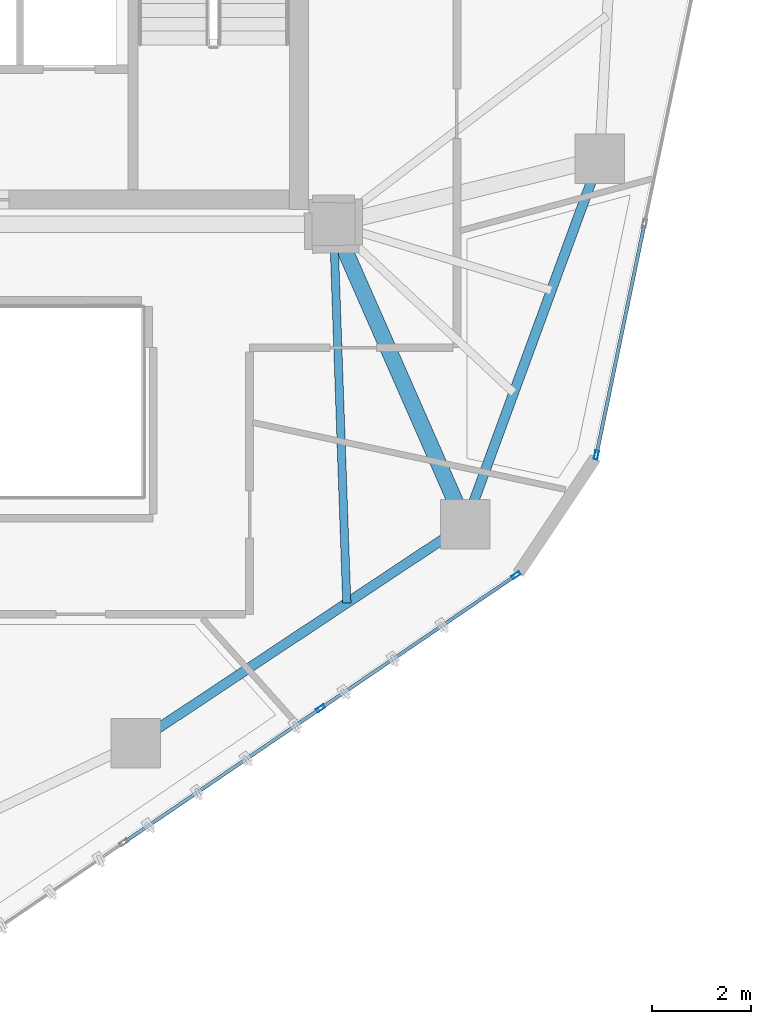
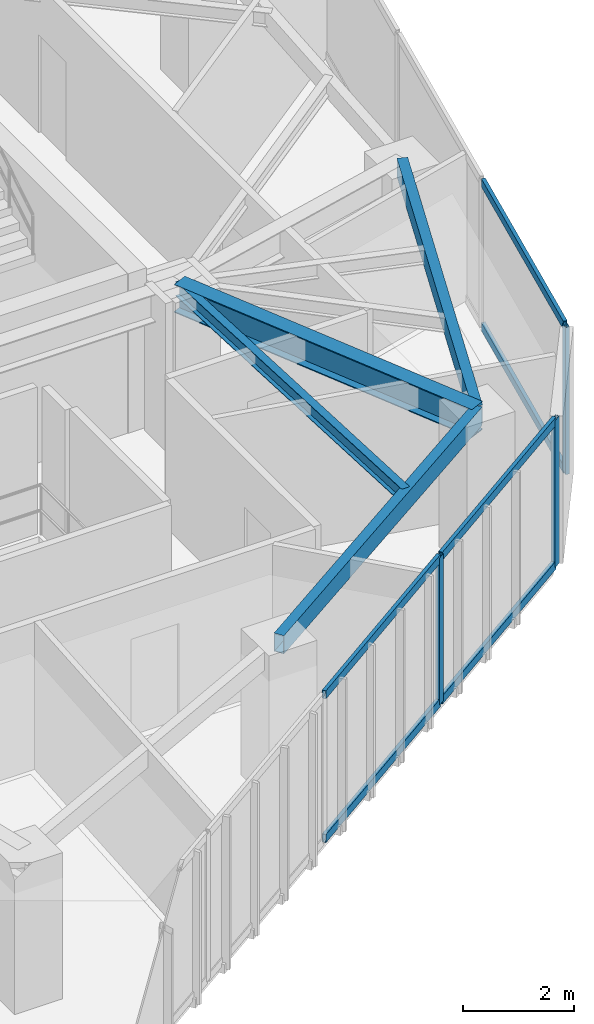
# One storey, part 5 of 20: 9 members, 4 beams, 2 elements without a shape of their own.
"""IFC4 building model written with IfcOpenShell, lengths in metres."""

from ifc_helpers import new_model, si_unit, direction, frame, origin, origin_2d, place, context, subcontext, project, spatial, hollow_rectangle, i_section, extrude, source, transform, mapped, material, layer, layer_set, material_profile, profile_set, type_object, type_shapes, element, aggregate, save


model = new_model("IFC4")

# Units and contexts
model_context = context("Model", 3, precision=1e-05, world=origin(), true_north=direction((0.0, 1.0)))
body_context = subcontext(model_context, "Body", "Model", "MODEL_VIEW")
ifc_project = project(units=[si_unit("LENGTHUNIT", "METRE"), si_unit("AREAUNIT", "SQUARE_METRE"), si_unit("VOLUMEUNIT", "CUBIC_METRE"), si_unit("PLANEANGLEUNIT", "RADIAN"), si_unit("MASSUNIT", "GRAM", prefix="KILO")], contexts=[model_context])

# Site, building, storey
site_placement = place(None, origin())
site = spatial("IfcSite", under=ifc_project, at=site_placement, CompositionType="ELEMENT")
building_placement = place(site_placement, origin())
building = spatial("IfcBuilding", under=site, at=building_placement, Name="Talar Marvaseh", CompositionType="ELEMENT")
storey_placement = place(building_placement, frame((0.0, 0.0, 191.5)))
storey = spatial("IfcBuildingStorey", under=building, at=storey_placement, Name="L50", CompositionType="ELEMENT", Elevation=191.5)

# Beams
ifc_material_1 = material(Name="Steel S355", Category="steel")
ifc_material_profile_1 = material_profile(ifc_material_1, hollow_rectangle(XDim=0.199951171875, YDim=0.39990234375, WallThickness=0.013916015625, at=origin_2d()), Name="RHS400x200x14")
ifc_profile_set_1 = profile_set([ifc_material_profile_1], Name="Steel S355")
beam_type_1 = type_object("IfcBeamType", Name="Zone 3 Perimeter Spandrel Beam RHS400x200x14", PredefinedType="SPANDREL", material=ifc_profile_set_1)
beam_1_placement = place(storey_placement, frame((38.68896484375, 26.823974609375, 3.030029296875), z_axis=(-0.344742291376, -0.938697370049, 0.0), x_axis=(0.938697370049, -0.344742291376, 0.0)))
element("IfcBeam", 1, at=beam_1_placement, inside=storey, type_object=beam_type_1, Name="L50 Zone 3 Perimeter Spandrel Beam RHS400x200x14", PredefinedType="SPANDREL", context=body_context, shape_type="SweptSolid", body=[
    extrude(hollow_rectangle(XDim=0.199951171875, YDim=0.39990234375, WallThickness=0.013916015625, at=origin_2d()), origin(), (0.0, 0.0, 1.0), 7.88427734375),
])
beam_2_placement = place(storey_placement, frame((35.970947265625, 19.423095703125, 3.030029296875), z_axis=(-0.833127464163, -0.553081032452, 0.0), x_axis=(0.553081032452, -0.833127464163, 0.0)))
element("IfcBeam", 2, at=beam_2_placement, inside=storey, type_object=beam_type_1, Name="L50 Zone 3 Perimeter Spandrel Beam RHS400x200x14", PredefinedType="SPANDREL", context=body_context, shape_type="SweptSolid", body=[
    extrude(hollow_rectangle(XDim=0.199951171875, YDim=0.39990234375, WallThickness=0.013916015625, at=origin_2d()), origin(), (0.0, 0.0, 1.0), 8.00830078125),
])
ifc_material_profile_2 = material_profile(ifc_material_1, i_section(OverallWidth=0.324951171875, OverallDepth=0.615966796875, WebThickness=0.013916015625, FlangeThickness=0.021484375, at=origin_2d()), Name="W610x174")
ifc_profile_set_2 = profile_set([ifc_material_profile_2], Name="Steel S355")
beam_type_2 = type_object("IfcBeamType", Name="Zone 3 Radial Floor Girder W610x174", PredefinedType="BEAM", material=ifc_profile_set_2)
beam_3_placement = place(storey_placement, frame((35.970947265625, 19.423095703125, 2.922119140625), z_axis=(-0.402367581672, 0.91547819702, 0.0), x_axis=(-0.91547819702, -0.402367581672, 0.0)))
element("IfcBeam", 3, at=beam_3_placement, inside=storey, type_object=beam_type_2, Name="L50 Zone 3 Radial Floor Girder W610x174", PredefinedType="BEAM", context=body_context, shape_type="SweptSolid", body=[
    extrude(i_section(OverallWidth=0.324951171875, OverallDepth=0.615966796875, WebThickness=0.013916015625, FlangeThickness=0.021484375, at=origin_2d()), origin(), (0.0, 0.0, 1.0), 6.637939453125),
])
ifc_material_profile_3 = material_profile(ifc_material_1, i_section(OverallWidth=0.166015625, OverallDepth=0.31298828125, WebThickness=0.006591796875, FlangeThickness=0.01123046875, at=origin_2d()), Name="W310x45")
ifc_profile_set_3 = profile_set([ifc_material_profile_3], Name="Steel S355")
beam_type_3 = type_object("IfcBeamType", Name="Zone 3 Secondary Floor Joist W310x45", PredefinedType="JOIST", material=ifc_profile_set_3)
beam_4_placement = place(storey_placement, frame((33.569091796875, 17.82861328125, 3.073486328125), z_axis=(-0.035049421089, 0.999385580285, 0.0), x_axis=(-0.999385580285, -0.035049421089, 0.0)))
element("IfcBeam", 4, at=beam_4_placement, inside=storey, type_object=beam_type_3, Name="L50 Zone 3 Secondary Floor Joist W310x45", PredefinedType="JOIST", context=body_context, shape_type="SweptSolid", body=[
    extrude(i_section(OverallWidth=0.166015625, OverallDepth=0.31298828125, WebThickness=0.006591796875, FlangeThickness=0.01123046875, at=origin_2d()), origin(), (0.0, 0.0, 1.0), 7.676025390625),
])

# Curtain wall, member
ifc_material_2 = material(Name="Architectural Aluminium", Category="aluminium")
ifc_layer = layer(ifc_material_2, 0.18994140625)
ifc_layer_set = layer_set([ifc_layer], Name="Architectural Aluminium")
curtain_wall_type = type_object("IfcCurtainWallType", Name="Unitised Solar Atelier Curtain Wall Z3", PredefinedType="NOTDEFINED", material=ifc_layer_set)
curtain_wall_1_placement = place(storey_placement, origin())
curtain_wall_1 = element("IfcCurtainWall", 5, at=curtain_wall_1_placement, inside=storey, type_object=curtain_wall_type, Name="L50 Unitised Solar Atelier Curtain Wall Z3", PredefinedType="NOTDEFINED")
ifc_material_profile_4 = material_profile(ifc_material_2, hollow_rectangle(XDim=0.074951171875, YDim=0.179931640625, WallThickness=0.0048828125, at=origin_2d()), Name="RHS180x75x5")
ifc_profile_set_4 = profile_set([ifc_material_profile_4], Name="Architectural Aluminium")
member_type_1 = type_object("IfcMemberType", Name="Unitised Curtain Wall Standard Mullion RHS180x75x5", PredefinedType="MULLION", material=ifc_profile_set_4)
shared_shape_1 = source(origin(), body_context, "Body", "SweptSolid", [
    extrude(hollow_rectangle(XDim=0.074951171875, YDim=0.179931640625, WallThickness=0.0048828125, at=origin_2d()), origin(), (0.0, 0.0, 1.0), 3.22998046875),
])
type_shapes(member_type_1, [shared_shape_1])
member_1_placement = place(storey_placement, frame((38.622314453125, 20.827880859375, 0.0), z_axis=(0.0, 0.0, 1.0), x_axis=(0.979013963541, -0.203793177492, 0.0)))
member_1 = element("IfcMember", 6, at=member_1_placement, type_object=member_type_1, Name="CW-Z3 mullion 5", PredefinedType="MULLION", context=body_context, shape_type="MappedRepresentation", body=[
    mapped(shared_shape_1, transform((0.0, 0.0, 0.0), x_axis=(1.0, 0.0, 0.0), y_axis=(0.0, 1.0, 0.0), z_axis=(0.0, 0.0, 1.0), scale=1.0)),
])

# Curtain wall, members
curtain_wall_2_placement = place(storey_placement, origin())
curtain_wall_2 = element("IfcCurtainWall", 7, at=curtain_wall_2_placement, inside=storey, type_object=curtain_wall_type, Name="L50 Unitised Solar Atelier Curtain Wall Z3", PredefinedType="NOTDEFINED")
member_2_placement = place(storey_placement, frame((36.99462890625, 18.391845703125, 0.0), z_axis=(0.0, 0.0, 1.0), x_axis=(0.562931836617, -0.826503325657, 0.0)))
member_2 = element("IfcMember", 8, at=member_2_placement, type_object=member_type_1, Name="CW-Z3 mullion 1", PredefinedType="MULLION", context=body_context, shape_type="MappedRepresentation", body=[
    mapped(shared_shape_1, transform((0.0, 0.0, 0.0), x_axis=(1.0, 0.0, 0.0), y_axis=(0.0, 1.0, 0.0), z_axis=(0.0, 0.0, 1.0), scale=1.0)),
])
member_3_placement = place(storey_placement, frame((33.040283203125, 15.698486328125, 0.0), z_axis=(0.0, 0.0, 1.0), x_axis=(0.562931836617, -0.826503325657, 0.0)))
member_3 = element("IfcMember", 9, at=member_3_placement, type_object=member_type_1, Name="CW-Z3 mullion 2", PredefinedType="MULLION", context=body_context, shape_type="MappedRepresentation", body=[
    mapped(shared_shape_1, transform((0.0, 0.0, 0.0), x_axis=(1.0, 0.0, 0.0), y_axis=(0.0, 1.0, 0.0), z_axis=(0.0, 0.0, 1.0), scale=1.0)),
])
ifc_material_profile_5 = material_profile(ifc_material_2, hollow_rectangle(XDim=0.074951171875, YDim=0.179931640625, WallThickness=0.0048828125, at=origin_2d()), Name="RHS180x75x5")
ifc_profile_set_5 = profile_set([ifc_material_profile_5], Name="Architectural Aluminium")
member_type_2 = type_object("IfcMemberType", Name="Unitised Curtain Wall Transom RHS180x75x5", PredefinedType="USERDEFINED", material=ifc_profile_set_5)
shared_shape_2 = source(origin(), body_context, "Body", "SweptSolid", [
    extrude(hollow_rectangle(XDim=0.074951171875, YDim=0.179931640625, WallThickness=0.0048828125, at=origin_2d()), origin(), (0.0, 0.0, 1.0), 4.70947265625),
])
member_4_placement = place(storey_placement, frame((36.963623046875, 18.37060546875, 0.03759765625), z_axis=(-0.826498150274, -0.562939435102, 0.0), x_axis=(0.562939435102, -0.826498150274, 0.0)))
member_4 = element("IfcMember", 10, at=member_4_placement, type_object=member_type_2, Name="CW-Z3 transom 1.1", ObjectType="TRANSOM", PredefinedType="USERDEFINED", context=body_context, shape_type="MappedRepresentation", body=[
    mapped(shared_shape_2, transform((0.0, 0.0, 0.0), x_axis=(1.0, 0.0, 0.0), y_axis=(0.0, 1.0, 0.0), z_axis=(0.0, 0.0, 1.0), scale=1.0)),
])
member_5_placement = place(storey_placement, frame((36.963623046875, 18.37060546875, 3.1923828125), z_axis=(-0.826498150274, -0.562939435102, 0.0), x_axis=(0.562939435102, -0.826498150274, 0.0)))
member_5 = element("IfcMember", 11, at=member_5_placement, type_object=member_type_2, Name="CW-Z3 transom 1.2", ObjectType="TRANSOM", PredefinedType="USERDEFINED", context=body_context, shape_type="MappedRepresentation", body=[
    mapped(shared_shape_2, transform((0.0, 0.0, 0.0), x_axis=(1.0, 0.0, 0.0), y_axis=(0.0, 1.0, 0.0), z_axis=(0.0, 0.0, 1.0), scale=1.0)),
])

# Member
shared_shape_3 = source(origin(), body_context, "Body", "SweptSolid", [
    extrude(hollow_rectangle(XDim=0.074951171875, YDim=0.179931640625, WallThickness=0.0048828125, at=origin_2d()), origin(), (0.0, 0.0, 1.0), 4.709716796875),
])
member_6_placement = place(storey_placement, frame((39.58984375, 25.475341796875, 0.03759765625), z_axis=(-0.203825908724, -0.979007149582, 0.0), x_axis=(0.979007149582, -0.203825908724, 0.0)))
member_6 = element("IfcMember", 12, at=member_6_placement, type_object=member_type_2, Name="CW-Z3 transom 4.1", ObjectType="TRANSOM", PredefinedType="USERDEFINED", context=body_context, shape_type="MappedRepresentation", body=[
    mapped(shared_shape_3, transform((0.0, 0.0, 0.0), x_axis=(1.0, 0.0, 0.0), y_axis=(0.0, 1.0, 0.0), z_axis=(0.0, 0.0, 1.0), scale=1.0)),
])

member_7_placement = place(storey_placement, frame((39.58984375, 25.475341796875, 3.1923828125), z_axis=(-0.203825908724, -0.979007149582, 0.0), x_axis=(0.979007149582, -0.203825908724, 0.0)))
member_7 = element("IfcMember", 13, at=member_7_placement, type_object=member_type_2, Name="CW-Z3 transom 4.2", ObjectType="TRANSOM", PredefinedType="USERDEFINED", context=body_context, shape_type="MappedRepresentation", body=[
    mapped(shared_shape_3, transform((0.0, 0.0, 0.0), x_axis=(1.0, 0.0, 0.0), y_axis=(0.0, 1.0, 0.0), z_axis=(0.0, 0.0, 1.0), scale=1.0)),
])

aggregate(curtain_wall_1, [member_1, member_6, member_7])

shared_shape_4 = source(origin(), body_context, "Body", "SweptSolid", [
    extrude(hollow_rectangle(XDim=0.074951171875, YDim=0.179931640625, WallThickness=0.0048828125, at=origin_2d()), origin(), (0.0, 0.0, 1.0), 4.746826171875),
])
type_shapes(member_type_2, [shared_shape_2, shared_shape_3, shared_shape_4])
member_8_placement = place(storey_placement, frame((33.00927734375, 15.67724609375, 0.03759765625), z_axis=(-0.826510150171, -0.562921816653, 0.0), x_axis=(0.562921816653, -0.826510150171, 0.0)))
member_8 = element("IfcMember", 14, at=member_8_placement, type_object=member_type_2, Name="CW-Z3 transom 2.1", ObjectType="TRANSOM", PredefinedType="USERDEFINED", context=body_context, shape_type="MappedRepresentation", body=[
    mapped(shared_shape_4, transform((0.0, 0.0, 0.0), x_axis=(1.0, 0.0, 0.0), y_axis=(0.0, 1.0, 0.0), z_axis=(0.0, 0.0, 1.0), scale=1.0)),
])

member_9_placement = place(storey_placement, frame((33.00927734375, 15.67724609375, 3.1923828125), z_axis=(-0.826510150171, -0.562921816653, 0.0), x_axis=(0.562921816653, -0.826510150171, 0.0)))
member_9 = element("IfcMember", 15, at=member_9_placement, type_object=member_type_2, Name="CW-Z3 transom 2.2", ObjectType="TRANSOM", PredefinedType="USERDEFINED", context=body_context, shape_type="MappedRepresentation", body=[
    mapped(shared_shape_4, transform((0.0, 0.0, 0.0), x_axis=(1.0, 0.0, 0.0), y_axis=(0.0, 1.0, 0.0), z_axis=(0.0, 0.0, 1.0), scale=1.0)),
])

aggregate(curtain_wall_2, [member_2, member_3, member_4, member_5, member_8, member_9])

save(model, "model.ifc")
